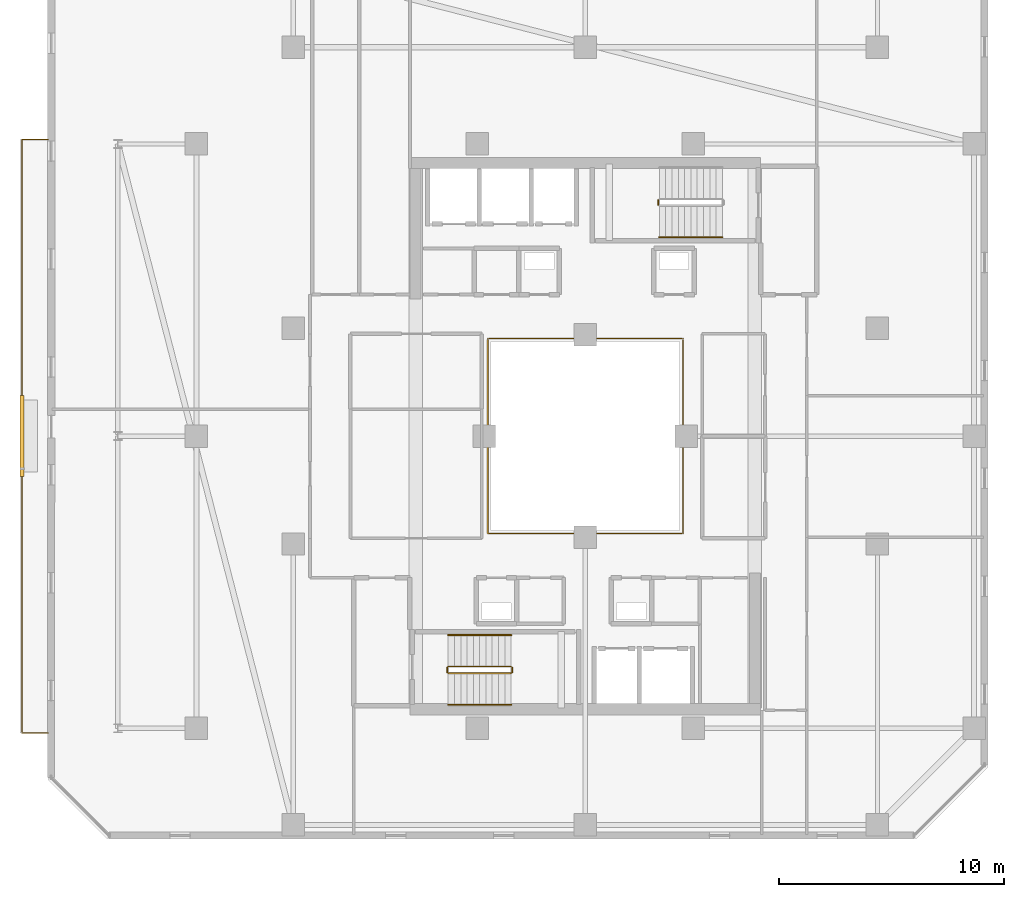
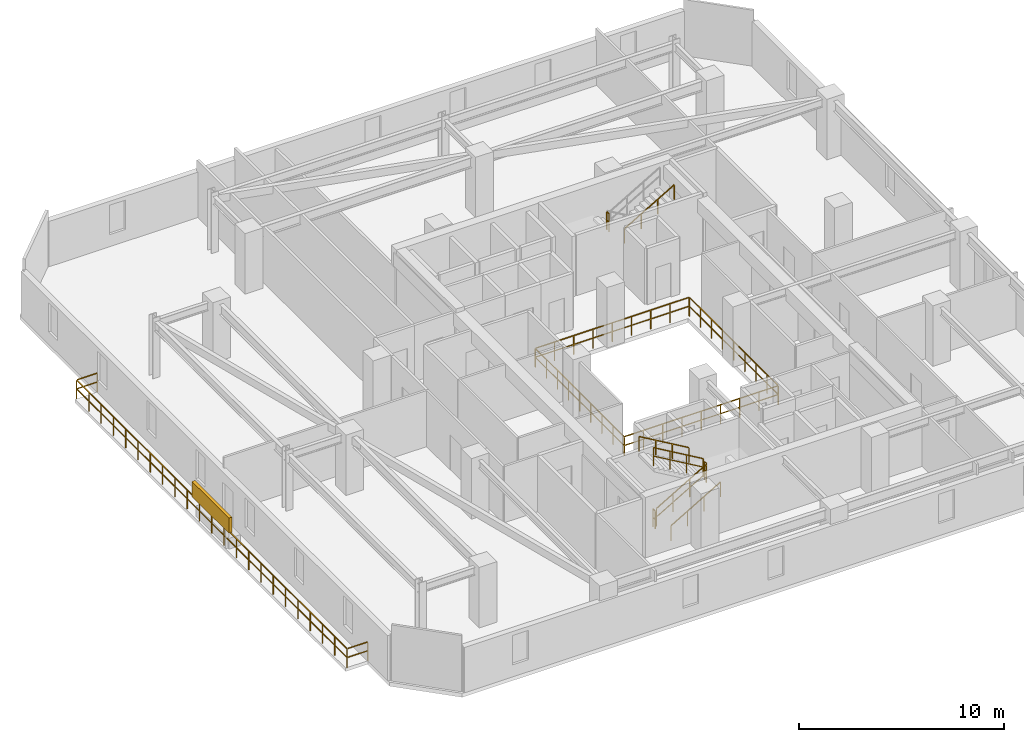
# One storey, part 30 of 33: 10 railings, 1 shading device.
"""IFC4 building model written with IfcOpenShell, lengths in metres."""

from ifc_helpers import new_model, si_unit, direction, frame, origin, origin_2d, place, context, subcontext, project, spatial, rectangle, extrude, material, type_object, element, save


model = new_model("IFC4")

# Units and contexts
model_context = context("Model", 3, precision=1e-05, world=origin(), true_north=direction((0.0, 1.0)))
body_context = subcontext(model_context, "Body", "Model", "MODEL_VIEW")
ifc_project = project(units=[si_unit("LENGTHUNIT", "METRE"), si_unit("AREAUNIT", "SQUARE_METRE"), si_unit("VOLUMEUNIT", "CUBIC_METRE"), si_unit("PLANEANGLEUNIT", "RADIAN"), si_unit("MASSUNIT", "GRAM", prefix="KILO")], contexts=[model_context])

# Site, building, storey
site_placement = place(None, origin())
site = spatial("IfcSite", under=ifc_project, at=site_placement, CompositionType="ELEMENT")
building_placement = place(site_placement, origin())
building = spatial("IfcBuilding", under=site, at=building_placement, Name="Thornwick Lancets Civic Towers", CompositionType="ELEMENT")
storey_placement = place(building_placement, frame((0.0, 0.0, 214.5)))
storey = spatial("IfcBuildingStorey", under=building, at=storey_placement, Name="L57", CompositionType="ELEMENT", Elevation=214.5)

# Railings
ifc_material_1 = material(Name="Laminated glass and bronze steel S355", Category="steel")
railing_type_1 = type_object("IfcRailingType", Name="RAIL_ATRIUM_GUARD", PredefinedType="BALUSTRADE", material=ifc_material_1)
railing_1_placement = place(storey_placement, frame((21.159912109375, 22.659912109375, 0.0)))
element("IfcRailing", 1, at=railing_1_placement, inside=storey, type_object=railing_type_1, Name="L57 Tower A Central Atrium Guard Balustrade", PredefinedType="BALUSTRADE", context=body_context, shape_type="SweptSolid", body=[
    extrude(rectangle(XDim=0.048095703125, YDim=0.048095703125, at=origin_2d()), frame((0.0, 0.0, 1.1259765625), z_axis=(1.0, 0.0, 0.0), x_axis=(0.0, 1.0, 0.0)), (0.0, 0.0, 1.0), 8.64892578125),
    extrude(rectangle(XDim=0.0419921875, YDim=0.0419921875, at=origin_2d()), frame((0.03759765625, 0.0, 0.597900390625), z_axis=(1.0, 0.0, 0.0), x_axis=(0.0, 1.0, 0.0)), (0.0, 0.0, 1.0), 1.010009765625),
    extrude(rectangle(XDim=0.0419921875, YDim=0.0419921875, at=origin_2d()), frame((1.12255859375, 0.0, 0.597900390625), z_axis=(1.0, 0.0, 0.0), x_axis=(0.0, 1.0, 0.0)), (0.0, 0.0, 1.0), 1.010009765625),
    extrude(rectangle(XDim=0.0419921875, YDim=0.0419921875, at=origin_2d()), frame((2.20751953125, 0.0, 0.597900390625), z_axis=(1.0, 0.0, 0.0), x_axis=(0.0, 1.0, 0.0)), (0.0, 0.0, 1.0), 1.010009765625),
    extrude(rectangle(XDim=0.0419921875, YDim=0.0419921875, at=origin_2d()), frame((3.29248046875, 0.0, 0.597900390625), z_axis=(1.0, 0.0, 0.0), x_axis=(0.0, 1.0, 0.0)), (0.0, 0.0, 1.0), 1.010009765625),
    extrude(rectangle(XDim=0.0419921875, YDim=0.0419921875, at=origin_2d()), frame((4.377685546875, 0.0, 0.597900390625), z_axis=(1.0, 0.0, 0.0), x_axis=(0.0, 1.0, 0.0)), (0.0, 0.0, 1.0), 1.010009765625),
    extrude(rectangle(XDim=0.0419921875, YDim=0.0419921875, at=origin_2d()), frame((5.462646484375, 0.0, 0.597900390625), z_axis=(1.0, 0.0, 0.0), x_axis=(0.0, 1.0, 0.0)), (0.0, 0.0, 1.0), 1.010009765625),
    extrude(rectangle(XDim=0.0419921875, YDim=0.0419921875, at=origin_2d()), frame((6.547607421875, 0.0, 0.597900390625), z_axis=(1.0, 0.0, 0.0), x_axis=(0.0, 1.0, 0.0)), (0.0, 0.0, 1.0), 1.010009765625),
    extrude(rectangle(XDim=0.0419921875, YDim=0.0419921875, at=origin_2d()), frame((7.632568359375, 0.0, 0.597900390625), z_axis=(1.0, 0.0, 0.0), x_axis=(0.0, 1.0, 0.0)), (0.0, 0.0, 1.0), 1.010009765625),
    extrude(rectangle(XDim=0.048095703125, YDim=0.048095703125, at=origin_2d()), frame((8.68017578125, 0.03125, 1.1259765625), z_axis=(0.0, 1.0, 0.0), x_axis=(-1.0, 0.0, 0.0)), (0.0, 0.0, 1.0), 8.61767578125),
    extrude(rectangle(XDim=0.0419921875, YDim=0.0419921875, at=origin_2d()), frame((8.68017578125, 0.03759765625, 0.597900390625), z_axis=(0.0, 1.0, 0.0), x_axis=(-1.0, 0.0, 0.0)), (0.0, 0.0, 1.0), 1.010009765625),
    extrude(rectangle(XDim=0.0419921875, YDim=0.0419921875, at=origin_2d()), frame((8.68017578125, 1.12255859375, 0.597900390625), z_axis=(0.0, 1.0, 0.0), x_axis=(-1.0, 0.0, 0.0)), (0.0, 0.0, 1.0), 1.010009765625),
    extrude(rectangle(XDim=0.0419921875, YDim=0.0419921875, at=origin_2d()), frame((8.68017578125, 2.20751953125, 0.597900390625), z_axis=(0.0, 1.0, 0.0), x_axis=(-1.0, 0.0, 0.0)), (0.0, 0.0, 1.0), 1.010009765625),
    extrude(rectangle(XDim=0.0419921875, YDim=0.0419921875, at=origin_2d()), frame((8.68017578125, 3.29248046875, 0.597900390625), z_axis=(0.0, 1.0, 0.0), x_axis=(-1.0, 0.0, 0.0)), (0.0, 0.0, 1.0), 1.010009765625),
    extrude(rectangle(XDim=0.0419921875, YDim=0.0419921875, at=origin_2d()), frame((8.68017578125, 4.377685546875, 0.597900390625), z_axis=(0.0, 1.0, 0.0), x_axis=(-1.0, 0.0, 0.0)), (0.0, 0.0, 1.0), 1.010009765625),
    extrude(rectangle(XDim=0.0419921875, YDim=0.0419921875, at=origin_2d()), frame((8.68017578125, 5.462646484375, 0.597900390625), z_axis=(0.0, 1.0, 0.0), x_axis=(-1.0, 0.0, 0.0)), (0.0, 0.0, 1.0), 1.010009765625),
    extrude(rectangle(XDim=0.0419921875, YDim=0.0419921875, at=origin_2d()), frame((8.68017578125, 6.547607421875, 0.597900390625), z_axis=(0.0, 1.0, 0.0), x_axis=(-1.0, 0.0, 0.0)), (0.0, 0.0, 1.0), 1.010009765625),
    extrude(rectangle(XDim=0.0419921875, YDim=0.0419921875, at=origin_2d()), frame((8.68017578125, 7.632568359375, 0.597900390625), z_axis=(0.0, 1.0, 0.0), x_axis=(-1.0, 0.0, 0.0)), (0.0, 0.0, 1.0), 1.010009765625),
    extrude(rectangle(XDim=0.048095703125, YDim=0.048095703125, at=origin_2d()), frame((8.64892578125, 8.68017578125, 1.1259765625), z_axis=(-1.0, 0.0, 0.0), x_axis=(0.0, -1.0, 0.0)), (0.0, 0.0, 1.0), 8.61767578125),
    extrude(rectangle(XDim=0.0419921875, YDim=0.0419921875, at=origin_2d()), frame((8.642578125, 8.68017578125, 0.597900390625), z_axis=(-1.0, 0.0, 0.0), x_axis=(0.0, -1.0, 0.0)), (0.0, 0.0, 1.0), 1.010009765625),
    extrude(rectangle(XDim=0.0419921875, YDim=0.0419921875, at=origin_2d()), frame((7.5576171875, 8.68017578125, 0.597900390625), z_axis=(-1.0, 0.0, 0.0), x_axis=(0.0, -1.0, 0.0)), (0.0, 0.0, 1.0), 1.010009765625),
    extrude(rectangle(XDim=0.0419921875, YDim=0.0419921875, at=origin_2d()), frame((6.47265625, 8.68017578125, 0.597900390625), z_axis=(-1.0, 0.0, 0.0), x_axis=(0.0, -1.0, 0.0)), (0.0, 0.0, 1.0), 1.010009765625),
    extrude(rectangle(XDim=0.0419921875, YDim=0.0419921875, at=origin_2d()), frame((5.3876953125, 8.68017578125, 0.597900390625), z_axis=(-1.0, 0.0, 0.0), x_axis=(0.0, -1.0, 0.0)), (0.0, 0.0, 1.0), 1.010009765625),
    extrude(rectangle(XDim=0.0419921875, YDim=0.0419921875, at=origin_2d()), frame((4.302490234375, 8.68017578125, 0.597900390625), z_axis=(-1.0, 0.0, 0.0), x_axis=(0.0, -1.0, 0.0)), (0.0, 0.0, 1.0), 1.010009765625),
    extrude(rectangle(XDim=0.0419921875, YDim=0.0419921875, at=origin_2d()), frame((3.217529296875, 8.68017578125, 0.597900390625), z_axis=(-1.0, 0.0, 0.0), x_axis=(0.0, -1.0, 0.0)), (0.0, 0.0, 1.0), 1.010009765625),
    extrude(rectangle(XDim=0.0419921875, YDim=0.0419921875, at=origin_2d()), frame((2.132568359375, 8.68017578125, 0.597900390625), z_axis=(-1.0, 0.0, 0.0), x_axis=(0.0, -1.0, 0.0)), (0.0, 0.0, 1.0), 1.010009765625),
    extrude(rectangle(XDim=0.0419921875, YDim=0.0419921875, at=origin_2d()), frame((1.047607421875, 8.68017578125, 0.597900390625), z_axis=(-1.0, 0.0, 0.0), x_axis=(0.0, -1.0, 0.0)), (0.0, 0.0, 1.0), 1.010009765625),
    extrude(rectangle(XDim=0.048095703125, YDim=0.048095703125, at=origin_2d()), frame((0.0, 8.64892578125, 1.1259765625), z_axis=(0.0, -1.0, 0.0), x_axis=(1.0, 0.0, 0.0)), (0.0, 0.0, 1.0), 8.64892578125),
    extrude(rectangle(XDim=0.0419921875, YDim=0.0419921875, at=origin_2d()), frame((0.0, 8.642578125, 0.597900390625), z_axis=(0.0, -1.0, 0.0), x_axis=(1.0, 0.0, 0.0)), (0.0, 0.0, 1.0), 1.010009765625),
    extrude(rectangle(XDim=0.0419921875, YDim=0.0419921875, at=origin_2d()), frame((0.0, 7.5576171875, 0.597900390625), z_axis=(0.0, -1.0, 0.0), x_axis=(1.0, 0.0, 0.0)), (0.0, 0.0, 1.0), 1.010009765625),
    extrude(rectangle(XDim=0.0419921875, YDim=0.0419921875, at=origin_2d()), frame((0.0, 6.47265625, 0.597900390625), z_axis=(0.0, -1.0, 0.0), x_axis=(1.0, 0.0, 0.0)), (0.0, 0.0, 1.0), 1.010009765625),
    extrude(rectangle(XDim=0.0419921875, YDim=0.0419921875, at=origin_2d()), frame((0.0, 5.3876953125, 0.597900390625), z_axis=(0.0, -1.0, 0.0), x_axis=(1.0, 0.0, 0.0)), (0.0, 0.0, 1.0), 1.010009765625),
    extrude(rectangle(XDim=0.0419921875, YDim=0.0419921875, at=origin_2d()), frame((0.0, 4.302490234375, 0.597900390625), z_axis=(0.0, -1.0, 0.0), x_axis=(1.0, 0.0, 0.0)), (0.0, 0.0, 1.0), 1.010009765625),
    extrude(rectangle(XDim=0.0419921875, YDim=0.0419921875, at=origin_2d()), frame((0.0, 3.217529296875, 0.597900390625), z_axis=(0.0, -1.0, 0.0), x_axis=(1.0, 0.0, 0.0)), (0.0, 0.0, 1.0), 1.010009765625),
    extrude(rectangle(XDim=0.0419921875, YDim=0.0419921875, at=origin_2d()), frame((0.0, 2.132568359375, 0.597900390625), z_axis=(0.0, -1.0, 0.0), x_axis=(1.0, 0.0, 0.0)), (0.0, 0.0, 1.0), 1.010009765625),
    extrude(rectangle(XDim=0.0419921875, YDim=0.0419921875, at=origin_2d()), frame((0.0, 1.047607421875, 0.597900390625), z_axis=(0.0, -1.0, 0.0), x_axis=(1.0, 0.0, 0.0)), (0.0, 0.0, 1.0), 1.010009765625),
    extrude(rectangle(XDim=0.0419921875, YDim=0.0419921875, at=origin_2d()), origin(), (0.0, 0.0, 1.0), 1.095703125),
    extrude(rectangle(XDim=0.0419921875, YDim=0.0419921875, at=origin_2d()), frame((1.0849609375, 0.0, 0.0)), (0.0, 0.0, 1.0), 1.095703125),
    extrude(rectangle(XDim=0.0419921875, YDim=0.0419921875, at=origin_2d()), frame((2.169921875, 0.0, 0.0)), (0.0, 0.0, 1.0), 1.095703125),
    extrude(rectangle(XDim=0.0419921875, YDim=0.0419921875, at=origin_2d()), frame((3.255126953125, 0.0, 0.0)), (0.0, 0.0, 1.0), 1.095703125),
    extrude(rectangle(XDim=0.0419921875, YDim=0.0419921875, at=origin_2d()), frame((4.340087890625, 0.0, 0.0)), (0.0, 0.0, 1.0), 1.095703125),
    extrude(rectangle(XDim=0.0419921875, YDim=0.0419921875, at=origin_2d()), frame((5.425048828125, 0.0, 0.0)), (0.0, 0.0, 1.0), 1.095703125),
    extrude(rectangle(XDim=0.0419921875, YDim=0.0419921875, at=origin_2d()), frame((6.51025390625, 0.0, 0.0)), (0.0, 0.0, 1.0), 1.095703125),
    extrude(rectangle(XDim=0.0419921875, YDim=0.0419921875, at=origin_2d()), frame((7.59521484375, 0.0, 0.0)), (0.0, 0.0, 1.0), 1.095703125),
    extrude(rectangle(XDim=0.0419921875, YDim=0.0419921875, at=origin_2d()), frame((8.68017578125, 0.0, 0.0)), (0.0, 0.0, 1.0), 1.095703125),
    extrude(rectangle(XDim=0.0419921875, YDim=0.0419921875, at=origin_2d()), frame((8.68017578125, 1.0849609375, 0.0)), (0.0, 0.0, 1.0), 1.095703125),
    extrude(rectangle(XDim=0.0419921875, YDim=0.0419921875, at=origin_2d()), frame((8.68017578125, 2.169921875, 0.0)), (0.0, 0.0, 1.0), 1.095703125),
    extrude(rectangle(XDim=0.0419921875, YDim=0.0419921875, at=origin_2d()), frame((8.68017578125, 3.255126953125, 0.0)), (0.0, 0.0, 1.0), 1.095703125),
    extrude(rectangle(XDim=0.0419921875, YDim=0.0419921875, at=origin_2d()), frame((8.68017578125, 4.340087890625, 0.0)), (0.0, 0.0, 1.0), 1.095703125),
    extrude(rectangle(XDim=0.0419921875, YDim=0.0419921875, at=origin_2d()), frame((8.68017578125, 5.425048828125, 0.0)), (0.0, 0.0, 1.0), 1.095703125),
    extrude(rectangle(XDim=0.0419921875, YDim=0.0419921875, at=origin_2d()), frame((8.68017578125, 6.51025390625, 0.0)), (0.0, 0.0, 1.0), 1.095703125),
    extrude(rectangle(XDim=0.0419921875, YDim=0.0419921875, at=origin_2d()), frame((8.68017578125, 7.59521484375, 0.0)), (0.0, 0.0, 1.0), 1.095703125),
    extrude(rectangle(XDim=0.0419921875, YDim=0.0419921875, at=origin_2d()), frame((8.68017578125, 8.68017578125, 0.0)), (0.0, 0.0, 1.0), 1.095703125),
    extrude(rectangle(XDim=0.0419921875, YDim=0.0419921875, at=origin_2d()), frame((7.59521484375, 8.68017578125, 0.0)), (0.0, 0.0, 1.0), 1.095703125),
    extrude(rectangle(XDim=0.0419921875, YDim=0.0419921875, at=origin_2d()), frame((6.51025390625, 8.68017578125, 0.0)), (0.0, 0.0, 1.0), 1.095703125),
    extrude(rectangle(XDim=0.0419921875, YDim=0.0419921875, at=origin_2d()), frame((5.425048828125, 8.68017578125, 0.0)), (0.0, 0.0, 1.0), 1.095703125),
    extrude(rectangle(XDim=0.0419921875, YDim=0.0419921875, at=origin_2d()), frame((4.340087890625, 8.68017578125, 0.0)), (0.0, 0.0, 1.0), 1.095703125),
    extrude(rectangle(XDim=0.0419921875, YDim=0.0419921875, at=origin_2d()), frame((3.255126953125, 8.68017578125, 0.0)), (0.0, 0.0, 1.0), 1.095703125),
    extrude(rectangle(XDim=0.0419921875, YDim=0.0419921875, at=origin_2d()), frame((2.169921875, 8.68017578125, 0.0)), (0.0, 0.0, 1.0), 1.095703125),
    extrude(rectangle(XDim=0.0419921875, YDim=0.0419921875, at=origin_2d()), frame((1.0849609375, 8.68017578125, 0.0)), (0.0, 0.0, 1.0), 1.095703125),
    extrude(rectangle(XDim=0.0419921875, YDim=0.0419921875, at=origin_2d()), frame((0.0, 8.68017578125, 0.0)), (0.0, 0.0, 1.0), 1.095703125),
    extrude(rectangle(XDim=0.0419921875, YDim=0.0419921875, at=origin_2d()), frame((0.0, 7.59521484375, 0.0)), (0.0, 0.0, 1.0), 1.095703125),
    extrude(rectangle(XDim=0.0419921875, YDim=0.0419921875, at=origin_2d()), frame((0.0, 6.51025390625, 0.0)), (0.0, 0.0, 1.0), 1.095703125),
    extrude(rectangle(XDim=0.0419921875, YDim=0.0419921875, at=origin_2d()), frame((0.0, 5.425048828125, 0.0)), (0.0, 0.0, 1.0), 1.095703125),
    extrude(rectangle(XDim=0.0419921875, YDim=0.0419921875, at=origin_2d()), frame((0.0, 4.340087890625, 0.0)), (0.0, 0.0, 1.0), 1.095703125),
    extrude(rectangle(XDim=0.0419921875, YDim=0.0419921875, at=origin_2d()), frame((0.0, 3.255126953125, 0.0)), (0.0, 0.0, 1.0), 1.095703125),
    extrude(rectangle(XDim=0.0419921875, YDim=0.0419921875, at=origin_2d()), frame((0.0, 2.169921875, 0.0)), (0.0, 0.0, 1.0), 1.095703125),
    extrude(rectangle(XDim=0.0419921875, YDim=0.0419921875, at=origin_2d()), frame((0.0, 1.0849609375, 0.0)), (0.0, 0.0, 1.0), 1.095703125),
])
ifc_material_2 = material(Name="Brushed stainless steel S355", Category="steel")
railing_type_2 = type_object("IfcRailingType", Name="RAIL_HANDRAIL", PredefinedType="HANDRAIL", material=ifc_material_2)
railing_2_placement = place(storey_placement, frame((19.39990234375, 15.050048828125, 0.16357421875)))
element("IfcRailing", 2, at=railing_2_placement, inside=storey, type_object=railing_type_2, Name="L57 ST-A1 stair handrail 1", PredefinedType="HANDRAIL", context=body_context, shape_type="SweptSolid", body=[
    extrude(rectangle(XDim=0.048095703125, YDim=0.048095703125, at=origin_2d()), frame((0.0, 0.0, 0.8857421875), z_axis=(0.863360870873, 0.0, 0.504586966384), x_axis=(0.0, 1.0, 0.0)), (0.0, 0.0, 1.0), 3.2431640625),
    extrude(rectangle(XDim=0.0419921875, YDim=0.0419921875, at=origin_2d()), origin(), (0.0, 0.0, 1.0), 0.855712890625),
    extrude(rectangle(XDim=0.0419921875, YDim=0.0419921875, at=origin_2d()), frame((0.933349609375, 0.0, 0.54541015625)), (0.0, 0.0, 1.0), 0.855712890625),
    extrude(rectangle(XDim=0.0419921875, YDim=0.0419921875, at=origin_2d()), frame((1.86669921875, 0.0, 1.091064453125)), (0.0, 0.0, 1.0), 0.855712890625),
    extrude(rectangle(XDim=0.0419921875, YDim=0.0419921875, at=origin_2d()), frame((2.800048828125, 0.0, 1.636474609375)), (0.0, 0.0, 1.0), 0.855712890625),
])
railing_3_placement = place(storey_placement, frame((22.199951171875, 18.14990234375, 1.963623046875)))
element("IfcRailing", 3, at=railing_3_placement, inside=storey, type_object=railing_type_2, Name="L57 ST-A1 stair handrail 2", PredefinedType="HANDRAIL", context=body_context, shape_type="SweptSolid", body=[
    extrude(rectangle(XDim=0.048095703125, YDim=0.048095703125, at=origin_2d()), frame((0.0, 0.0, 0.8857421875), z_axis=(-0.863360870873, 0.0, 0.504586966384), x_axis=(0.0, -1.0, 0.0)), (0.0, 0.0, 1.0), 3.2431640625),
    extrude(rectangle(XDim=0.0419921875, YDim=0.0419921875, at=origin_2d()), origin(), (0.0, 0.0, 1.0), 0.855712890625),
    extrude(rectangle(XDim=0.0419921875, YDim=0.0419921875, at=origin_2d()), frame((-0.933349609375, 0.0, 0.54541015625)), (0.0, 0.0, 1.0), 0.855712890625),
    extrude(rectangle(XDim=0.0419921875, YDim=0.0419921875, at=origin_2d()), frame((-1.86669921875, 0.0, 1.091064453125)), (0.0, 0.0, 1.0), 0.855712890625),
    extrude(rectangle(XDim=0.0419921875, YDim=0.0419921875, at=origin_2d()), frame((-2.800048828125, 0.0, 1.636474609375)), (0.0, 0.0, 1.0), 0.855712890625),
])
railing_4_placement = place(storey_placement, frame((28.800048828125, 35.85009765625, 1.963623046875)))
element("IfcRailing", 4, at=railing_4_placement, inside=storey, type_object=railing_type_2, Name="L57 ST-A2 stair handrail 2", PredefinedType="HANDRAIL", context=body_context, shape_type="SweptSolid", body=[
    extrude(rectangle(XDim=0.048095703125, YDim=0.048095703125, at=origin_2d()), frame((0.0, 0.0, 0.8857421875), z_axis=(0.863360870873, 0.0, 0.504586966384), x_axis=(0.0, 1.0, 0.0)), (0.0, 0.0, 1.0), 3.2431640625),
    extrude(rectangle(XDim=0.0419921875, YDim=0.0419921875, at=origin_2d()), origin(), (0.0, 0.0, 1.0), 0.855712890625),
    extrude(rectangle(XDim=0.0419921875, YDim=0.0419921875, at=origin_2d()), frame((0.933349609375, 0.0, 0.54541015625)), (0.0, 0.0, 1.0), 0.855712890625),
    extrude(rectangle(XDim=0.0419921875, YDim=0.0419921875, at=origin_2d()), frame((1.86669921875, 0.0, 1.091064453125)), (0.0, 0.0, 1.0), 0.855712890625),
    extrude(rectangle(XDim=0.0419921875, YDim=0.0419921875, at=origin_2d()), frame((2.800048828125, 0.0, 1.636474609375)), (0.0, 0.0, 1.0), 0.855712890625),
])
ifc_material_3 = material(Name="Steel S355JR", Category="steel")
railing_type_3 = type_object("IfcRailingType", Name="RAIL_STAIR_GUARD", PredefinedType="GUARDRAIL", material=ifc_material_3)
railing_5_placement = place(storey_placement, frame((19.39990234375, 16.449951171875, 0.16357421875)))
element("IfcRailing", 5, at=railing_5_placement, inside=storey, type_object=railing_type_3, Name="L57 ST-A1 stair guard 1", PredefinedType="GUARDRAIL", context=body_context, shape_type="SweptSolid", body=[
    extrude(rectangle(XDim=0.048095703125, YDim=0.048095703125, at=origin_2d()), frame((0.0, 0.0, 1.076171875), z_axis=(0.863360870873, 0.0, 0.504586966384), x_axis=(0.0, 1.0, 0.0)), (0.0, 0.0, 1.0), 3.2431640625),
    extrude(rectangle(XDim=0.0419921875, YDim=0.0419921875, at=origin_2d()), frame((0.032470703125, 0.0, 0.591064453125), z_axis=(0.863360870873, 0.0, 0.504586966384), x_axis=(0.0, 1.0, 0.0)), (0.0, 0.0, 1.0), 1.006103515625),
    extrude(rectangle(XDim=0.0419921875, YDim=0.0419921875, at=origin_2d()), frame((0.9658203125, 0.0, 1.136474609375), z_axis=(0.863360870873, 0.0, 0.504586966384), x_axis=(0.0, 1.0, 0.0)), (0.0, 0.0, 1.0), 1.006103515625),
    extrude(rectangle(XDim=0.0419921875, YDim=0.0419921875, at=origin_2d()), frame((1.899169921875, 0.0, 1.681884765625), z_axis=(0.863360870873, 0.0, 0.504586966384), x_axis=(0.0, 1.0, 0.0)), (0.0, 0.0, 1.0), 1.006103515625),
    extrude(rectangle(XDim=0.0419921875, YDim=0.0419921875, at=origin_2d()), origin(), (0.0, 0.0, 1.0), 1.0458984375),
    extrude(rectangle(XDim=0.0419921875, YDim=0.0419921875, at=origin_2d()), frame((0.933349609375, 0.0, 0.54541015625)), (0.0, 0.0, 1.0), 1.0458984375),
    extrude(rectangle(XDim=0.0419921875, YDim=0.0419921875, at=origin_2d()), frame((1.86669921875, 0.0, 1.091064453125)), (0.0, 0.0, 1.0), 1.0458984375),
    extrude(rectangle(XDim=0.0419921875, YDim=0.0419921875, at=origin_2d()), frame((2.800048828125, 0.0, 1.636474609375)), (0.0, 0.0, 1.0), 1.0458984375),
])
railing_6_placement = place(storey_placement, frame((22.25, 16.5, 1.800048828125)))
element("IfcRailing", 6, at=railing_6_placement, inside=storey, type_object=railing_type_3, Name="L57 ST-A1 stair guard 2", PredefinedType="GUARDRAIL", context=body_context, shape_type="SweptSolid", body=[
    extrude(rectangle(XDim=0.048095703125, YDim=0.048095703125, at=origin_2d()), frame((0.0, 0.0, 1.076171875), z_axis=(0.0, 1.0, 0.0), x_axis=(-1.0, 0.0, 0.0)), (0.0, 0.0, 1.0), 0.199951171875),
    extrude(rectangle(XDim=0.0419921875, YDim=0.0419921875, at=origin_2d()), frame((0.0, 0.03759765625, 0.572021484375), z_axis=(0.0, 1.0, 0.0), x_axis=(-1.0, 0.0, 0.0)), (0.0, 0.0, 1.0), 0.125),
    extrude(rectangle(XDim=0.0419921875, YDim=0.0419921875, at=origin_2d()), origin(), (0.0, 0.0, 1.0), 1.0458984375),
    extrude(rectangle(XDim=0.0419921875, YDim=0.0419921875, at=origin_2d()), frame((0.0, 0.199951171875, 0.0)), (0.0, 0.0, 1.0), 1.0458984375),
])
railing_7_placement = place(storey_placement, frame((22.199951171875, 16.75, 1.963623046875)))
element("IfcRailing", 7, at=railing_7_placement, inside=storey, type_object=railing_type_3, Name="L57 ST-A1 stair guard 3", PredefinedType="GUARDRAIL", context=body_context, shape_type="SweptSolid", body=[
    extrude(rectangle(XDim=0.048095703125, YDim=0.048095703125, at=origin_2d()), frame((0.0, 0.0, 1.076171875), z_axis=(-0.863360870873, 0.0, 0.504586966384), x_axis=(0.0, -1.0, 0.0)), (0.0, 0.0, 1.0), 3.2431640625),
    extrude(rectangle(XDim=0.0419921875, YDim=0.0419921875, at=origin_2d()), frame((-0.032470703125, 0.0, 0.591064453125), z_axis=(-0.863360870873, 0.0, 0.504586966384), x_axis=(0.0, -1.0, 0.0)), (0.0, 0.0, 1.0), 1.006103515625),
    extrude(rectangle(XDim=0.0419921875, YDim=0.0419921875, at=origin_2d()), frame((-0.9658203125, 0.0, 1.136474609375), z_axis=(-0.863360870873, 0.0, 0.504586966384), x_axis=(0.0, -1.0, 0.0)), (0.0, 0.0, 1.0), 1.006103515625),
    extrude(rectangle(XDim=0.0419921875, YDim=0.0419921875, at=origin_2d()), frame((-1.899169921875, 0.0, 1.681884765625), z_axis=(-0.863360870873, 0.0, 0.504586966384), x_axis=(0.0, -1.0, 0.0)), (0.0, 0.0, 1.0), 1.006103515625),
    extrude(rectangle(XDim=0.0419921875, YDim=0.0419921875, at=origin_2d()), origin(), (0.0, 0.0, 1.0), 1.0458984375),
    extrude(rectangle(XDim=0.0419921875, YDim=0.0419921875, at=origin_2d()), frame((-0.933349609375, 0.0, 0.54541015625)), (0.0, 0.0, 1.0), 1.0458984375),
    extrude(rectangle(XDim=0.0419921875, YDim=0.0419921875, at=origin_2d()), frame((-1.86669921875, 0.0, 1.091064453125)), (0.0, 0.0, 1.0), 1.0458984375),
    extrude(rectangle(XDim=0.0419921875, YDim=0.0419921875, at=origin_2d()), frame((-2.800048828125, 0.0, 1.636474609375)), (0.0, 0.0, 1.0), 1.0458984375),
])
railing_8_placement = place(storey_placement, frame((19.35009765625, 16.5, 0.0)))
element("IfcRailing", 8, at=railing_8_placement, inside=storey, type_object=railing_type_3, Name="L57 ST-A1 stair guard 4", PredefinedType="GUARDRAIL", context=body_context, shape_type="SweptSolid", body=[
    extrude(rectangle(XDim=0.048095703125, YDim=0.048095703125, at=origin_2d()), frame((0.0, 0.0, 1.076171875), z_axis=(0.0, 1.0, 0.0), x_axis=(-1.0, 0.0, 0.0)), (0.0, 0.0, 1.0), 0.199951171875),
    extrude(rectangle(XDim=0.0419921875, YDim=0.0419921875, at=origin_2d()), frame((0.0, 0.03759765625, 0.572021484375), z_axis=(0.0, 1.0, 0.0), x_axis=(-1.0, 0.0, 0.0)), (0.0, 0.0, 1.0), 0.125),
    extrude(rectangle(XDim=0.0419921875, YDim=0.0419921875, at=origin_2d()), origin(), (0.0, 0.0, 1.0), 1.0458984375),
    extrude(rectangle(XDim=0.0419921875, YDim=0.0419921875, at=origin_2d()), frame((0.0, 0.199951171875, 0.0)), (0.0, 0.0, 1.0), 1.0458984375),
])
railing_9_placement = place(storey_placement, frame((28.75, 37.5, 1.800048828125)))
element("IfcRailing", 9, at=railing_9_placement, inside=storey, type_object=railing_type_3, Name="L57 ST-A2 stair guard 2", PredefinedType="GUARDRAIL", context=body_context, shape_type="SweptSolid", body=[
    extrude(rectangle(XDim=0.048095703125, YDim=0.048095703125, at=origin_2d()), frame((0.0, 0.0, 1.076171875), z_axis=(0.0, -1.0, 0.0), x_axis=(1.0, 0.0, 0.0)), (0.0, 0.0, 1.0), 0.199951171875),
    extrude(rectangle(XDim=0.0419921875, YDim=0.0419921875, at=origin_2d()), frame((0.0, -0.03759765625, 0.572021484375), z_axis=(0.0, -1.0, 0.0), x_axis=(1.0, 0.0, 0.0)), (0.0, 0.0, 1.0), 0.125),
    extrude(rectangle(XDim=0.0419921875, YDim=0.0419921875, at=origin_2d()), origin(), (0.0, 0.0, 1.0), 1.0458984375),
    extrude(rectangle(XDim=0.0419921875, YDim=0.0419921875, at=origin_2d()), frame((0.0, -0.199951171875, 0.0)), (0.0, 0.0, 1.0), 1.0458984375),
])
ifc_material_4 = material(Name="Terracotta-capped laminated glass balustrade S355", Category="masonry")
railing_type_4 = type_object("IfcRailingType", Name="RAIL_TERR_GUARD", PredefinedType="GUARDRAIL", material=ifc_material_4)
railing_10_placement = place(storey_placement, frame((1.60009765625, 13.800048828125, 0.0)))
element("IfcRailing", 10, at=railing_10_placement, inside=storey, type_object=railing_type_4, Name="L57 Tower A Balcony Guard W", PredefinedType="GUARDRAIL", context=body_context, shape_type="SweptSolid", body=[
    extrude(rectangle(XDim=0.048095703125, YDim=0.048095703125, at=origin_2d()), frame((0.0, 0.0, 1.1259765625), z_axis=(-1.0, 0.0, 0.0), x_axis=(0.0, -1.0, 0.0)), (0.0, 0.0, 1.0), 1.138916015625),
    extrude(rectangle(XDim=0.0419921875, YDim=0.0419921875, at=origin_2d()), frame((-0.03759765625, 0.0, 0.597900390625), z_axis=(-1.0, 0.0, 0.0), x_axis=(0.0, -1.0, 0.0)), (0.0, 0.0, 1.0), 1.09521484375),
    extrude(rectangle(XDim=0.048095703125, YDim=0.048095703125, at=origin_2d()), frame((-1.170166015625, 0.03125, 1.1259765625), z_axis=(0.0, 1.0, 0.0), x_axis=(-1.0, 0.0, 0.0)), (0.0, 0.0, 1.0), 26.33740234375),
    extrude(rectangle(XDim=0.0419921875, YDim=0.0419921875, at=origin_2d()), frame((-1.170166015625, 0.03759765625, 0.597900390625), z_axis=(0.0, 1.0, 0.0), x_axis=(-1.0, 0.0, 0.0)), (0.0, 0.0, 1.0), 1.125),
    extrude(rectangle(XDim=0.0419921875, YDim=0.0419921875, at=origin_2d()), frame((-1.170166015625, 1.237548828125, 0.597900390625), z_axis=(0.0, 1.0, 0.0), x_axis=(-1.0, 0.0, 0.0)), (0.0, 0.0, 1.0), 1.125),
    extrude(rectangle(XDim=0.0419921875, YDim=0.0419921875, at=origin_2d()), frame((-1.170166015625, 2.4375, 0.597900390625), z_axis=(0.0, 1.0, 0.0), x_axis=(-1.0, 0.0, 0.0)), (0.0, 0.0, 1.0), 1.125),
    extrude(rectangle(XDim=0.0419921875, YDim=0.0419921875, at=origin_2d()), frame((-1.170166015625, 3.637451171875, 0.597900390625), z_axis=(0.0, 1.0, 0.0), x_axis=(-1.0, 0.0, 0.0)), (0.0, 0.0, 1.0), 1.125),
    extrude(rectangle(XDim=0.0419921875, YDim=0.0419921875, at=origin_2d()), frame((-1.170166015625, 4.83740234375, 0.597900390625), z_axis=(0.0, 1.0, 0.0), x_axis=(-1.0, 0.0, 0.0)), (0.0, 0.0, 1.0), 1.125),
    extrude(rectangle(XDim=0.0419921875, YDim=0.0419921875, at=origin_2d()), frame((-1.170166015625, 6.037353515625, 0.597900390625), z_axis=(0.0, 1.0, 0.0), x_axis=(-1.0, 0.0, 0.0)), (0.0, 0.0, 1.0), 1.125),
    extrude(rectangle(XDim=0.0419921875, YDim=0.0419921875, at=origin_2d()), frame((-1.170166015625, 7.237548828125, 0.597900390625), z_axis=(0.0, 1.0, 0.0), x_axis=(-1.0, 0.0, 0.0)), (0.0, 0.0, 1.0), 1.125),
    extrude(rectangle(XDim=0.0419921875, YDim=0.0419921875, at=origin_2d()), frame((-1.170166015625, 8.4375, 0.597900390625), z_axis=(0.0, 1.0, 0.0), x_axis=(-1.0, 0.0, 0.0)), (0.0, 0.0, 1.0), 1.125),
    extrude(rectangle(XDim=0.0419921875, YDim=0.0419921875, at=origin_2d()), frame((-1.170166015625, 9.637451171875, 0.597900390625), z_axis=(0.0, 1.0, 0.0), x_axis=(-1.0, 0.0, 0.0)), (0.0, 0.0, 1.0), 1.125),
    extrude(rectangle(XDim=0.0419921875, YDim=0.0419921875, at=origin_2d()), frame((-1.170166015625, 10.83740234375, 0.597900390625), z_axis=(0.0, 1.0, 0.0), x_axis=(-1.0, 0.0, 0.0)), (0.0, 0.0, 1.0), 1.125),
    extrude(rectangle(XDim=0.0419921875, YDim=0.0419921875, at=origin_2d()), frame((-1.170166015625, 12.037353515625, 0.597900390625), z_axis=(0.0, 1.0, 0.0), x_axis=(-1.0, 0.0, 0.0)), (0.0, 0.0, 1.0), 1.125),
    extrude(rectangle(XDim=0.0419921875, YDim=0.0419921875, at=origin_2d()), frame((-1.170166015625, 13.237548828125, 0.597900390625), z_axis=(0.0, 1.0, 0.0), x_axis=(-1.0, 0.0, 0.0)), (0.0, 0.0, 1.0), 1.125),
    extrude(rectangle(XDim=0.0419921875, YDim=0.0419921875, at=origin_2d()), frame((-1.170166015625, 14.4375, 0.597900390625), z_axis=(0.0, 1.0, 0.0), x_axis=(-1.0, 0.0, 0.0)), (0.0, 0.0, 1.0), 1.125),
    extrude(rectangle(XDim=0.0419921875, YDim=0.0419921875, at=origin_2d()), frame((-1.170166015625, 15.637451171875, 0.597900390625), z_axis=(0.0, 1.0, 0.0), x_axis=(-1.0, 0.0, 0.0)), (0.0, 0.0, 1.0), 1.125),
    extrude(rectangle(XDim=0.0419921875, YDim=0.0419921875, at=origin_2d()), frame((-1.170166015625, 16.83740234375, 0.597900390625), z_axis=(0.0, 1.0, 0.0), x_axis=(-1.0, 0.0, 0.0)), (0.0, 0.0, 1.0), 1.125),
    extrude(rectangle(XDim=0.0419921875, YDim=0.0419921875, at=origin_2d()), frame((-1.170166015625, 18.037353515625, 0.597900390625), z_axis=(0.0, 1.0, 0.0), x_axis=(-1.0, 0.0, 0.0)), (0.0, 0.0, 1.0), 1.125),
    extrude(rectangle(XDim=0.0419921875, YDim=0.0419921875, at=origin_2d()), frame((-1.170166015625, 19.2373046875, 0.597900390625), z_axis=(0.0, 1.0, 0.0), x_axis=(-1.0, 0.0, 0.0)), (0.0, 0.0, 1.0), 1.125),
    extrude(rectangle(XDim=0.0419921875, YDim=0.0419921875, at=origin_2d()), frame((-1.170166015625, 20.4375, 0.597900390625), z_axis=(0.0, 1.0, 0.0), x_axis=(-1.0, 0.0, 0.0)), (0.0, 0.0, 1.0), 1.125),
    extrude(rectangle(XDim=0.0419921875, YDim=0.0419921875, at=origin_2d()), frame((-1.170166015625, 21.637451171875, 0.597900390625), z_axis=(0.0, 1.0, 0.0), x_axis=(-1.0, 0.0, 0.0)), (0.0, 0.0, 1.0), 1.125),
    extrude(rectangle(XDim=0.0419921875, YDim=0.0419921875, at=origin_2d()), frame((-1.170166015625, 22.83740234375, 0.597900390625), z_axis=(0.0, 1.0, 0.0), x_axis=(-1.0, 0.0, 0.0)), (0.0, 0.0, 1.0), 1.125),
    extrude(rectangle(XDim=0.0419921875, YDim=0.0419921875, at=origin_2d()), frame((-1.170166015625, 24.037353515625, 0.597900390625), z_axis=(0.0, 1.0, 0.0), x_axis=(-1.0, 0.0, 0.0)), (0.0, 0.0, 1.0), 1.125),
    extrude(rectangle(XDim=0.0419921875, YDim=0.0419921875, at=origin_2d()), frame((-1.170166015625, 25.2373046875, 0.597900390625), z_axis=(0.0, 1.0, 0.0), x_axis=(-1.0, 0.0, 0.0)), (0.0, 0.0, 1.0), 1.125),
    extrude(rectangle(XDim=0.048095703125, YDim=0.048095703125, at=origin_2d()), frame((-1.138916015625, 26.39990234375, 1.1259765625), z_axis=(1.0, 0.0, 0.0), x_axis=(0.0, 1.0, 0.0)), (0.0, 0.0, 1.0), 1.138916015625),
    extrude(rectangle(XDim=0.0419921875, YDim=0.0419921875, at=origin_2d()), frame((-1.132568359375, 26.39990234375, 0.597900390625), z_axis=(1.0, 0.0, 0.0), x_axis=(0.0, 1.0, 0.0)), (0.0, 0.0, 1.0), 1.09521484375),
    extrude(rectangle(XDim=0.0419921875, YDim=0.0419921875, at=origin_2d()), origin(), (0.0, 0.0, 1.0), 1.095703125),
    extrude(rectangle(XDim=0.0419921875, YDim=0.0419921875, at=origin_2d()), frame((-1.170166015625, 0.0, 0.0)), (0.0, 0.0, 1.0), 1.095703125),
    extrude(rectangle(XDim=0.0419921875, YDim=0.0419921875, at=origin_2d()), frame((-1.170166015625, 1.199951171875, 0.0)), (0.0, 0.0, 1.0), 1.095703125),
    extrude(rectangle(XDim=0.0419921875, YDim=0.0419921875, at=origin_2d()), frame((-1.170166015625, 2.39990234375, 0.0)), (0.0, 0.0, 1.0), 1.095703125),
    extrude(rectangle(XDim=0.0419921875, YDim=0.0419921875, at=origin_2d()), frame((-1.170166015625, 3.60009765625, 0.0)), (0.0, 0.0, 1.0), 1.095703125),
    extrude(rectangle(XDim=0.0419921875, YDim=0.0419921875, at=origin_2d()), frame((-1.170166015625, 4.800048828125, 0.0)), (0.0, 0.0, 1.0), 1.095703125),
    extrude(rectangle(XDim=0.0419921875, YDim=0.0419921875, at=origin_2d()), frame((-1.170166015625, 6.0, 0.0)), (0.0, 0.0, 1.0), 1.095703125),
    extrude(rectangle(XDim=0.0419921875, YDim=0.0419921875, at=origin_2d()), frame((-1.170166015625, 7.199951171875, 0.0)), (0.0, 0.0, 1.0), 1.095703125),
    extrude(rectangle(XDim=0.0419921875, YDim=0.0419921875, at=origin_2d()), frame((-1.170166015625, 8.39990234375, 0.0)), (0.0, 0.0, 1.0), 1.095703125),
    extrude(rectangle(XDim=0.0419921875, YDim=0.0419921875, at=origin_2d()), frame((-1.170166015625, 9.599853515625, 0.0)), (0.0, 0.0, 1.0), 1.095703125),
    extrude(rectangle(XDim=0.0419921875, YDim=0.0419921875, at=origin_2d()), frame((-1.170166015625, 10.800048828125, 0.0)), (0.0, 0.0, 1.0), 1.095703125),
    extrude(rectangle(XDim=0.0419921875, YDim=0.0419921875, at=origin_2d()), frame((-1.170166015625, 12.0, 0.0)), (0.0, 0.0, 1.0), 1.095703125),
    extrude(rectangle(XDim=0.0419921875, YDim=0.0419921875, at=origin_2d()), frame((-1.170166015625, 13.199951171875, 0.0)), (0.0, 0.0, 1.0), 1.095703125),
    extrude(rectangle(XDim=0.0419921875, YDim=0.0419921875, at=origin_2d()), frame((-1.170166015625, 14.39990234375, 0.0)), (0.0, 0.0, 1.0), 1.095703125),
    extrude(rectangle(XDim=0.0419921875, YDim=0.0419921875, at=origin_2d()), frame((-1.170166015625, 15.599853515625, 0.0)), (0.0, 0.0, 1.0), 1.095703125),
    extrude(rectangle(XDim=0.0419921875, YDim=0.0419921875, at=origin_2d()), frame((-1.170166015625, 16.800048828125, 0.0)), (0.0, 0.0, 1.0), 1.095703125),
    extrude(rectangle(XDim=0.0419921875, YDim=0.0419921875, at=origin_2d()), frame((-1.170166015625, 18.0, 0.0)), (0.0, 0.0, 1.0), 1.095703125),
    extrude(rectangle(XDim=0.0419921875, YDim=0.0419921875, at=origin_2d()), frame((-1.170166015625, 19.199951171875, 0.0)), (0.0, 0.0, 1.0), 1.095703125),
    extrude(rectangle(XDim=0.0419921875, YDim=0.0419921875, at=origin_2d()), frame((-1.170166015625, 20.39990234375, 0.0)), (0.0, 0.0, 1.0), 1.095703125),
    extrude(rectangle(XDim=0.0419921875, YDim=0.0419921875, at=origin_2d()), frame((-1.170166015625, 21.599853515625, 0.0)), (0.0, 0.0, 1.0), 1.095703125),
    extrude(rectangle(XDim=0.0419921875, YDim=0.0419921875, at=origin_2d()), frame((-1.170166015625, 22.7998046875, 0.0)), (0.0, 0.0, 1.0), 1.095703125),
    extrude(rectangle(XDim=0.0419921875, YDim=0.0419921875, at=origin_2d()), frame((-1.170166015625, 24.0, 0.0)), (0.0, 0.0, 1.0), 1.095703125),
    extrude(rectangle(XDim=0.0419921875, YDim=0.0419921875, at=origin_2d()), frame((-1.170166015625, 25.199951171875, 0.0)), (0.0, 0.0, 1.0), 1.095703125),
    extrude(rectangle(XDim=0.0419921875, YDim=0.0419921875, at=origin_2d()), frame((-1.170166015625, 26.39990234375, 0.0)), (0.0, 0.0, 1.0), 1.095703125),
    extrude(rectangle(XDim=0.0419921875, YDim=0.0419921875, at=origin_2d()), frame((0.0, 26.39990234375, 0.0)), (0.0, 0.0, 1.0), 1.095703125),
])

# Shading device
ifc_material_5 = material(Name="Extruded terracotta baguette solar screen", Category="masonry")
shading_device_type = type_object("IfcShadingDeviceType", Name="SHADE_BAGUETTE", PredefinedType="JALOUSIE", material=ifc_material_5)
shading_device_placement = place(storey_placement, frame((0.43994140625, 27.0, 1.1201171875), z_axis=(0.0, 0.0, 1.0), x_axis=(0.0, 1.0, 0.0)))
element("IfcShadingDevice", 11, at=shading_device_placement, inside=storey, type_object=shading_device_type, Name="L57 Tower A Terracotta Baguette Screen W", PredefinedType="JALOUSIE", context=body_context, shape_type="SweptSolid", body=[
    extrude(rectangle(XDim=3.60009765625, YDim=0.179931640625, at=origin_2d()), origin(), (0.0, 0.0, 1.0), 0.89990234375),
])

save(model, "model.ifc")
